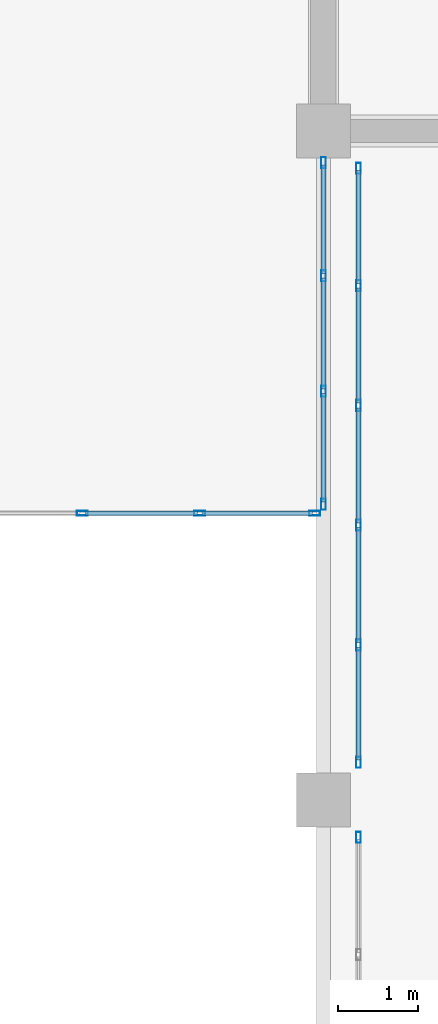
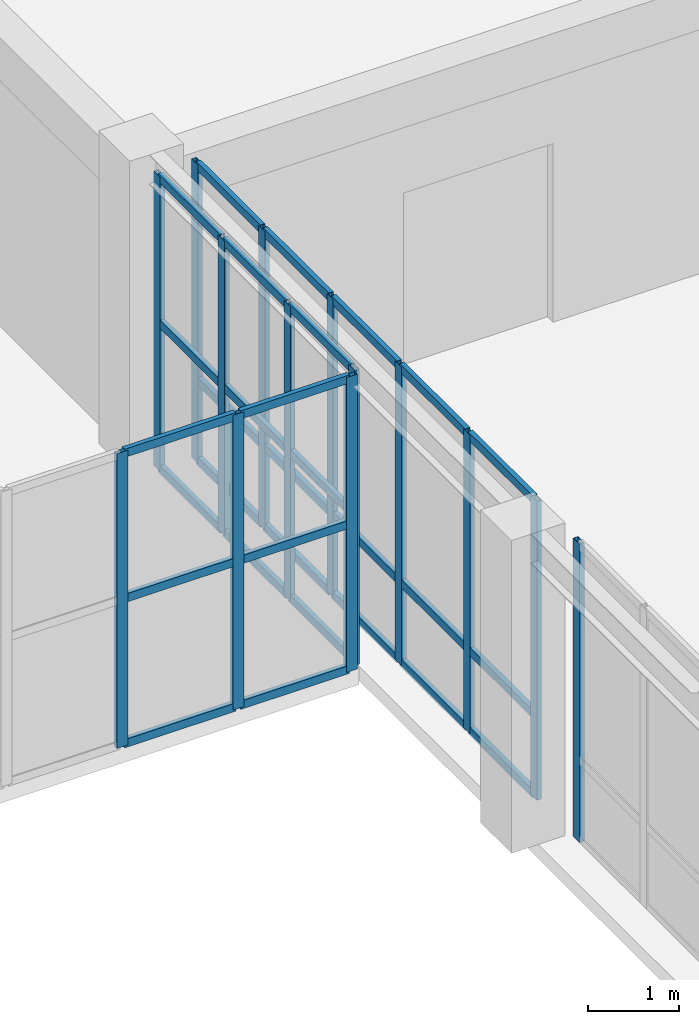
# One storey, part 34 of 140: 44 members, 4 elements without a shape of their own.
"""IFC4 building model written with IfcOpenShell, lengths in metres."""

import ifcopenshell
import ifcopenshell.guid

model = None  # the IFC model being written
_history = None  # IfcOwnerHistory: only IFC2X3 demands one
_inside = {}  # id of a spatial element -> (the spatial element, [elements in it])
_under = {}  # id of a project, library or spatial element -> (it, [spatial elements below it])
_declared = {}  # id of a project -> (the project, [libraries it declares])
_typed = {}  # id of a type object -> (the type object, [elements of that type])
_made_of = {}  # id of a material, layer set ... -> (it, [elements and type objects made of it])


def new_model(schema):
    """Start an empty IFC model of exactly this schema.

    Asked for "IFC4X3", IfcOpenShell would pick the latest addendum, in which some entities
    have other attributes; the version numbers below select the first issue.
    IFC2X3 requires an IfcOwnerHistory on every rooted entity: one is made here for all.
    """
    global model, _history
    if schema == "IFC4X3":
        model = ifcopenshell.file(schema_version=(4, 3, 0, 0))
    else:
        model = ifcopenshell.file(schema=schema)
    _inside.clear()
    _under.clear()
    _declared.clear()
    _typed.clear()
    _made_of.clear()
    _history = None
    if model.schema == "IFC2X3":
        org = make("IfcOrganization", Name="unknown")
        user = make(
            "IfcPersonAndOrganization",
            ThePerson=make("IfcPerson", FamilyName="unknown"),
            TheOrganization=org,
        )
        app = make(
            "IfcApplication",
            ApplicationDeveloper=org,
            Version="unknown",
            ApplicationFullName="unknown",
            ApplicationIdentifier="unknown",
        )
        _history = make(
            "IfcOwnerHistory",
            OwningUser=user,
            OwningApplication=app,
            ChangeAction="ADDED",
            CreationDate=0,
        )
    return model


def make(cls, **values):
    """One entity of the class cls with the attributes given. An attribute that is None is left unset."""
    return model.create_entity(
        cls, **{name: value for name, value in values.items() if value is not None}
    )


def rooted(cls, **values):
    """An entity with a GlobalId (a new one), such as an element, a storey or a relation."""
    return make(cls, GlobalId=ifcopenshell.guid.new(), OwnerHistory=_history, **values)


def si_unit(unit_type, name, prefix=None):
    """IfcSIUnit, for example si_unit("LENGTHUNIT", "METRE", prefix="MILLI")."""
    return make("IfcSIUnit", UnitType=unit_type, Prefix=prefix, Name=name)


def assignment(units):
    """IfcUnitAssignment: the units of a project."""
    return None if units is None else make("IfcUnitAssignment", Units=units)


def point(xyz):
    """IfcCartesianPoint."""
    return None if xyz is None else make("IfcCartesianPoint", Coordinates=xyz)


def direction(xyz):
    """IfcDirection."""
    return None if xyz is None else make("IfcDirection", DirectionRatios=xyz)


def frame(location, z_axis=None, x_axis=None):
    """IfcAxis2Placement3D, a coordinate frame: its origin and axes. An axis left out is left unset."""
    return make(
        "IfcAxis2Placement3D",
        Location=point(location),
        Axis=direction(z_axis),
        RefDirection=direction(x_axis),
    )


def frame_2d(location, x_axis=None):
    """IfcAxis2Placement2D, a coordinate frame in the plane: its origin and x axis."""
    return make(
        "IfcAxis2Placement2D", Location=point(location), RefDirection=direction(x_axis)
    )


def origin():
    """The frame at (0, 0, 0) with its axes left unset."""
    return frame((0.0, 0.0, 0.0))


def origin_2d():
    """The frame at (0, 0) in the plane with its x axis left unset."""
    return frame_2d((0.0, 0.0))


def place(relative_to, where):
    """IfcLocalPlacement: puts the frame where relative to a parent placement (None: the world)."""
    return make(
        "IfcLocalPlacement", PlacementRelTo=relative_to, RelativePlacement=where
    )


def context(
    kind, dimensions, precision=None, world=None, true_north=None, identifier=None
):
    """IfcGeometricRepresentationContext, for example the 3D "Model" context."""
    return make(
        "IfcGeometricRepresentationContext",
        ContextIdentifier=identifier,
        ContextType=kind,
        CoordinateSpaceDimension=dimensions,
        Precision=precision,
        WorldCoordinateSystem=world,
        TrueNorth=true_north,
    )


def subcontext(parent, identifier, kind, view, scale=None):
    """IfcGeometricRepresentationSubContext, for example "Body" below "Model"."""
    return make(
        "IfcGeometricRepresentationSubContext",
        ContextIdentifier=identifier,
        ContextType=kind,
        ParentContext=parent,
        TargetScale=scale,
        TargetView=view,
    )


def project(units=None, contexts=None):
    """IfcProject with its units and contexts."""
    return rooted(
        "IfcProject",
        Name="project",
        RepresentationContexts=contexts,
        UnitsInContext=assignment(units),
    )


def spatial(cls, under=None, at=None, **own):
    """A site, building, storey or space (cls), placed at a placement, below another one or the project."""
    s = rooted(cls, ObjectPlacement=at, **own)
    if under is not None:
        _under.setdefault(under.id(), (under, []))[1].append(s)
    return s


def profile(cls, at=None, kind="AREA", **sizes):
    """A parametric profile (cls). Its sizes go by their IFC names, for example OverallWidth=200.0."""
    return make(cls, ProfileType=kind, Position=at, **sizes)


def hollow_rectangle(**sizes):
    """IfcRectangleHollowProfileDef."""
    return profile("IfcRectangleHollowProfileDef", **sizes)


def extrude(swept, where, along, depth):
    """IfcExtrudedAreaSolid: the profile swept, set in the frame where, extruded along a direction by depth."""
    return make(
        "IfcExtrudedAreaSolid",
        SweptArea=swept,
        Position=where,
        ExtrudedDirection=direction(along),
        Depth=depth,
    )


def shape(context_of_items, identifier, shape_type, items):
    """IfcShapeRepresentation: the items that make up one representation, for example the "Body"."""
    return make(
        "IfcShapeRepresentation",
        ContextOfItems=context_of_items,
        RepresentationIdentifier=identifier,
        RepresentationType=shape_type,
        Items=items,
    )


def material(Name=None, Category=None):
    """IfcMaterial."""
    return make("IfcMaterial", Name=Name, Category=Category)


def layer(
    of_material, thickness, ventilated=None, Name=None, Category=None, Priority=None
):
    """IfcMaterialLayer: one layer of a wall or slab, of a material (None: an air gap)."""
    return make(
        "IfcMaterialLayer",
        Material=of_material,
        LayerThickness=thickness,
        IsVentilated=ventilated,
        Name=Name,
        Category=Category,
        Priority=Priority,
    )


def layer_set(layers, Name=None):
    """IfcMaterialLayerSet."""
    return make("IfcMaterialLayerSet", MaterialLayers=layers, LayerSetName=Name)


def material_profile(
    of_material, cross_section, Name=None, Category=None, Priority=None
):
    """IfcMaterialProfile: a cross section and its material."""
    return make(
        "IfcMaterialProfile",
        Name=Name,
        Material=of_material,
        Profile=cross_section,
        Priority=Priority,
        Category=Category,
    )


def profile_set(profiles, Name=None, composite=None):
    """IfcMaterialProfileSet."""
    return make(
        "IfcMaterialProfileSet",
        Name=Name,
        MaterialProfiles=profiles,
        CompositeProfile=composite,
    )


def made_of(thing, what):
    """Note that an element or type object is made of a material, layer set ...; save() writes the relation."""
    if what is not None:
        _made_of.setdefault(what.id(), (what, []))[1].append(thing)
    return thing


def type_object(cls, material=None, **own):
    """A type object (cls), such as IfcWallType, which elements share."""
    return made_of(rooted(cls, **own), material)


def element(
    cls,
    number,
    at=None,
    inside=None,
    cuts=None,
    type_object=None,
    material=None,
    context=None,
    identifier="Body",
    shape_type=None,
    held_by="IfcProductDefinitionShape",
    body=None,
    shapes=None,
    **own,
):
    """One element of the class cls, such as IfcWall. Its Tag is "e" and its number.

    at: its placement. inside: the storey or other place that contains it. cuts: it is an
    opening in that element (IfcRelVoidsElement). A single representation is given by context,
    identifier, shape_type and body (its items); several are given by shapes. held_by: the class
    of the entity that holds the representations. save() writes the other relations.
    """
    e = rooted(cls, Tag="e%d" % number, ObjectPlacement=at, **own)
    if body is not None:
        shapes = [shape(context, identifier, shape_type, body)]
    if shapes is not None:
        e.Representation = make(held_by, Representations=shapes)
    if inside is not None:
        _inside.setdefault(inside.id(), (inside, []))[1].append(e)
    if cuts is not None:
        rooted(
            "IfcRelVoidsElement", RelatingBuildingElement=cuts, RelatedOpeningElement=e
        )
    if type_object is not None:
        _typed.setdefault(type_object.id(), (type_object, []))[1].append(e)
    return made_of(e, material)


def aggregate(whole, parts):
    """IfcRelAggregates: a whole, such as a stair, and the parts it consists of."""
    return rooted("IfcRelAggregates", RelatingObject=whole, RelatedObjects=parts)


def save(model, path):
    """Write the relations noted so far, then the file.

    IfcRelAggregates (storeys below a building ...), IfcRelContainedInSpatialStructure (elements
    in a storey), IfcRelDefinesByType, IfcRelAssociatesMaterial and IfcRelDeclares: one each for
    every whole, place, type object, material and project.
    """
    for whole, parts in _under.values():
        aggregate(whole, parts)
    for where, things in _inside.values():
        rooted(
            "IfcRelContainedInSpatialStructure",
            RelatedElements=things,
            RelatingStructure=where,
        )
    for kind, things in _typed.values():
        rooted("IfcRelDefinesByType", RelatedObjects=things, RelatingType=kind)
    for what, things in _made_of.values():
        rooted("IfcRelAssociatesMaterial", RelatedObjects=things, RelatingMaterial=what)
    for by, libraries in _declared.values():
        rooted("IfcRelDeclares", RelatingContext=by, RelatedDefinitions=libraries)
    model.write(path)


model = new_model("IFC4")

# Units and contexts
model_context = context("Model", 3, precision=1e-05, world=origin(), true_north=direction((0.0, 1.0)))
body_context = subcontext(model_context, "Body", "Model", "MODEL_VIEW")
ifc_project = project(units=[si_unit("LENGTHUNIT", "METRE"), si_unit("AREAUNIT", "SQUARE_METRE"), si_unit("VOLUMEUNIT", "CUBIC_METRE"), si_unit("PLANEANGLEUNIT", "RADIAN"), si_unit("MASSUNIT", "GRAM", prefix="KILO")], contexts=[model_context])

# Site, building, storey
site_placement = place(None, origin())
site = spatial("IfcSite", under=ifc_project, at=site_placement, CompositionType="ELEMENT")
building_placement = place(site_placement, origin())
building = spatial("IfcBuilding", under=site, at=building_placement, Name="Trelvath General Hospital", CompositionType="ELEMENT")
storey_placement = place(building_placement, frame((0.0, 0.0, 16.199951171875)))
storey = spatial("IfcBuildingStorey", under=building, at=storey_placement, Name="L04", CompositionType="ELEMENT", Elevation=16.199951171875)

# Curtain wall, members
ifc_material_1 = material(Name="Anodised aluminium and low-E glass", Category="aluminium")
ifc_layer_1 = layer(ifc_material_1, 0.139892578125)
ifc_layer_set_1 = layer_set([ifc_layer_1], Name="Anodised aluminium and low-E glass")
curtain_wall_type_1 = type_object("IfcCurtainWallType", Name="CW CrystalCube 737 396 14", PredefinedType="USERDEFINED", material=ifc_layer_set_1)
curtain_wall_1_placement = place(storey_placement, origin())
curtain_wall_1 = element("IfcCurtainWall", 1, at=curtain_wall_1_placement, inside=storey, type_object=curtain_wall_type_1, Name="Crystal Cube Curtain Wall CUBE-W-T1 S3 L04", ObjectType="Unitised Glazed Curtain Wall", PredefinedType="USERDEFINED")
ifc_material_2 = material(Name="Anodised aluminium", Category="aluminium")
ifc_material_profile_1 = material_profile(ifc_material_2, hollow_rectangle(XDim=0.06005859375, YDim=0.139892578125, WallThickness=0.00390625, at=origin_2d()), Name="RHS60x140x4")
ifc_profile_set_1 = profile_set([ifc_material_profile_1], Name="Anodised aluminium")
member_type_1 = type_object("IfcMemberType", Name="CurtainMullion 60x140", PredefinedType="MULLION", material=ifc_profile_set_1)
member_1_placement = place(storey_placement, frame((75.489990234375, 37.199951171875, 0.0), z_axis=(0.0, 0.0, 1.0), x_axis=(0.0, -1.0, 0.0)))
member_1 = element("IfcMember", 2, at=member_1_placement, type_object=member_type_1, Name="CW-270 mullion 1", PredefinedType="MULLION", context=body_context, shape_type="SweptSolid", body=[
    extrude(hollow_rectangle(XDim=0.06005859375, YDim=0.139892578125, WallThickness=0.00390625, at=origin_2d()), origin(), (0.0, 0.0, 1.0), 3.9599609375),
])
member_2_placement = place(storey_placement, frame((74.046630859375, 37.199951171875, 0.0), z_axis=(0.0, 0.0, 1.0), x_axis=(0.0, -1.0, 0.0)))
member_2 = element("IfcMember", 3, at=member_2_placement, type_object=member_type_1, Name="CW-270 mullion 2", PredefinedType="MULLION", context=body_context, shape_type="SweptSolid", body=[
    extrude(hollow_rectangle(XDim=0.06005859375, YDim=0.139892578125, WallThickness=0.00390625, at=origin_2d()), origin(), (0.0, 0.0, 1.0), 3.9599609375),
])
member_3_placement = place(storey_placement, frame((72.5732421875, 37.199951171875, 0.0), z_axis=(0.0, 0.0, 1.0), x_axis=(0.0, -1.0, 0.0)))
member_3 = element("IfcMember", 4, at=member_3_placement, type_object=member_type_1, Name="CW-270 mullion 3", PredefinedType="MULLION", context=body_context, shape_type="SweptSolid", body=[
    extrude(hollow_rectangle(XDim=0.06005859375, YDim=0.139892578125, WallThickness=0.00390625, at=origin_2d()), origin(), (0.0, 0.0, 1.0), 3.9599609375),
])

ifc_material_3 = material(Name="Anodised aluminium and low-E glass", Category="aluminium")
ifc_layer_2 = layer(ifc_material_3, 0.139892578125)
ifc_layer_set_2 = layer_set([ifc_layer_2], Name="Anodised aluminium and low-E glass")
curtain_wall_type_2 = type_object("IfcCurtainWallType", Name="CW CrystalCube 435 396 14", PredefinedType="USERDEFINED", material=ifc_layer_set_2)
curtain_wall_2_placement = place(storey_placement, origin())
curtain_wall_2 = element("IfcCurtainWall", 5, at=curtain_wall_2_placement, inside=storey, type_object=curtain_wall_type_2, Name="Crystal Cube Curtain Wall CUBE-W-T1 E1 L04", ObjectType="Unitised Glazed Curtain Wall", PredefinedType="USERDEFINED")
member_4_placement = place(storey_placement, frame((75.60009765625, 41.60009765625, 0.0), z_axis=(0.0, 0.0, 1.0), x_axis=(1.0, 0.0, 0.0)))
member_4 = element("IfcMember", 6, at=member_4_placement, type_object=member_type_1, Name="CW-275 mullion 1", PredefinedType="MULLION", context=body_context, shape_type="SweptSolid", body=[
    extrude(hollow_rectangle(XDim=0.06005859375, YDim=0.139892578125, WallThickness=0.00390625, at=origin_2d()), origin(), (0.0, 0.0, 1.0), 3.9599609375),
])
member_5_placement = place(storey_placement, frame((75.60009765625, 40.179931640625, 0.0), z_axis=(0.0, 0.0, 1.0), x_axis=(1.0, 0.0, 0.0)))
member_5 = element("IfcMember", 7, at=member_5_placement, type_object=member_type_1, Name="CW-275 mullion 2", PredefinedType="MULLION", context=body_context, shape_type="SweptSolid", body=[
    extrude(hollow_rectangle(XDim=0.06005859375, YDim=0.139892578125, WallThickness=0.00390625, at=origin_2d()), origin(), (0.0, 0.0, 1.0), 3.9599609375),
])
member_6_placement = place(storey_placement, frame((75.60009765625, 38.72998046875, 0.0), z_axis=(0.0, 0.0, 1.0), x_axis=(1.0, 0.0, 0.0)))
member_6 = element("IfcMember", 8, at=member_6_placement, type_object=member_type_1, Name="CW-275 mullion 3", PredefinedType="MULLION", context=body_context, shape_type="SweptSolid", body=[
    extrude(hollow_rectangle(XDim=0.06005859375, YDim=0.139892578125, WallThickness=0.00390625, at=origin_2d()), origin(), (0.0, 0.0, 1.0), 3.9599609375),
])
member_7_placement = place(storey_placement, frame((75.60009765625, 37.31005859375, 0.0), z_axis=(0.0, 0.0, 1.0), x_axis=(1.0, 0.0, 0.0)))
member_7 = element("IfcMember", 9, at=member_7_placement, type_object=member_type_1, Name="CW-275 mullion 4", PredefinedType="MULLION", context=body_context, shape_type="SweptSolid", body=[
    extrude(hollow_rectangle(XDim=0.06005859375, YDim=0.139892578125, WallThickness=0.00390625, at=origin_2d()), origin(), (0.0, 0.0, 1.0), 3.9599609375),
])

# Curtain wall, member
ifc_material_4 = material(Name="Anodised aluminium and low-E glass", Category="aluminium")
ifc_layer_3 = layer(ifc_material_4, 0.139892578125)
ifc_layer_set_3 = layer_set([ifc_layer_3], Name="Anodised aluminium and low-E glass")
curtain_wall_type_3 = type_object("IfcCurtainWallType", Name="CW Bridge 752 401", PredefinedType="USERDEFINED", material=ifc_layer_set_3)
curtain_wall_3_placement = place(storey_placement, origin())
curtain_wall_3 = element("IfcCurtainWall", 10, at=curtain_wall_3_placement, inside=storey, type_object=curtain_wall_type_3, Name="Glazed Bridge Curtain Wall BRG-S-C W L04", ObjectType="Unitised Glazed Curtain Wall", PredefinedType="USERDEFINED")
member_8_placement = place(storey_placement, frame((76.0400390625, 33.1298828125, 0.0), z_axis=(0.0, 0.0, 1.0), x_axis=(-1.0, 0.0, 0.0)))
member_8 = element("IfcMember", 11, at=member_8_placement, type_object=member_type_1, Name="CW-302 mullion 6", PredefinedType="MULLION", context=body_context, shape_type="SweptSolid", body=[
    extrude(hollow_rectangle(XDim=0.06005859375, YDim=0.139892578125, WallThickness=0.00390625, at=origin_2d()), origin(), (0.0, 0.0, 1.0), 4.010009765625),
])
aggregate(curtain_wall_3, [member_8])

# Curtain wall, members
curtain_wall_4_placement = place(storey_placement, origin())
curtain_wall_4 = element("IfcCurtainWall", 12, at=curtain_wall_4_placement, inside=storey, type_object=curtain_wall_type_3, Name="Glazed Bridge Curtain Wall BRG-S-C W L04", ObjectType="Unitised Glazed Curtain Wall", PredefinedType="USERDEFINED")
member_9_placement = place(storey_placement, frame((76.0400390625, 34.070068359375, 0.0), z_axis=(0.0, 0.0, 1.0), x_axis=(-1.0, 0.0, 0.0)))
member_9 = element("IfcMember", 13, at=member_9_placement, type_object=member_type_1, Name="CW-304 mullion 1", PredefinedType="MULLION", context=body_context, shape_type="SweptSolid", body=[
    extrude(hollow_rectangle(XDim=0.06005859375, YDim=0.139892578125, WallThickness=0.00390625, at=origin_2d()), origin(), (0.0, 0.0, 1.0), 4.010009765625),
])
member_10_placement = place(storey_placement, frame((76.0400390625, 35.5439453125, 0.0), z_axis=(0.0, 0.0, 1.0), x_axis=(-1.0, 0.0, 0.0)))
member_10 = element("IfcMember", 14, at=member_10_placement, type_object=member_type_1, Name="CW-304 mullion 2", PredefinedType="MULLION", context=body_context, shape_type="SweptSolid", body=[
    extrude(hollow_rectangle(XDim=0.06005859375, YDim=0.139892578125, WallThickness=0.00390625, at=origin_2d()), origin(), (0.0, 0.0, 1.0), 4.010009765625),
])
member_11_placement = place(storey_placement, frame((76.0400390625, 37.048095703125, 0.0), z_axis=(0.0, 0.0, 1.0), x_axis=(-1.0, 0.0, 0.0)))
member_11 = element("IfcMember", 15, at=member_11_placement, type_object=member_type_1, Name="CW-304 mullion 3", PredefinedType="MULLION", context=body_context, shape_type="SweptSolid", body=[
    extrude(hollow_rectangle(XDim=0.06005859375, YDim=0.139892578125, WallThickness=0.00390625, at=origin_2d()), origin(), (0.0, 0.0, 1.0), 4.010009765625),
])
member_12_placement = place(storey_placement, frame((76.0400390625, 38.552001953125, 0.0), z_axis=(0.0, 0.0, 1.0), x_axis=(-1.0, 0.0, 0.0)))
member_12 = element("IfcMember", 16, at=member_12_placement, type_object=member_type_1, Name="CW-304 mullion 4", PredefinedType="MULLION", context=body_context, shape_type="SweptSolid", body=[
    extrude(hollow_rectangle(XDim=0.06005859375, YDim=0.139892578125, WallThickness=0.00390625, at=origin_2d()), origin(), (0.0, 0.0, 1.0), 4.010009765625),
])
member_13_placement = place(storey_placement, frame((76.0400390625, 40.055908203125, 0.0), z_axis=(0.0, 0.0, 1.0), x_axis=(-1.0, 0.0, 0.0)))
member_13 = element("IfcMember", 17, at=member_13_placement, type_object=member_type_1, Name="CW-304 mullion 5", PredefinedType="MULLION", context=body_context, shape_type="SweptSolid", body=[
    extrude(hollow_rectangle(XDim=0.06005859375, YDim=0.139892578125, WallThickness=0.00390625, at=origin_2d()), origin(), (0.0, 0.0, 1.0), 4.010009765625),
])
member_14_placement = place(storey_placement, frame((76.0400390625, 41.530029296875, 0.0), z_axis=(0.0, 0.0, 1.0), x_axis=(-1.0, 0.0, 0.0)))
member_14 = element("IfcMember", 18, at=member_14_placement, type_object=member_type_1, Name="CW-304 mullion 6", PredefinedType="MULLION", context=body_context, shape_type="SweptSolid", body=[
    extrude(hollow_rectangle(XDim=0.06005859375, YDim=0.139892578125, WallThickness=0.00390625, at=origin_2d()), origin(), (0.0, 0.0, 1.0), 4.010009765625),
])

# Member
ifc_material_5 = material(Name="Anodised aluminium", Category="aluminium")
ifc_material_profile_2 = material_profile(ifc_material_5, hollow_rectangle(XDim=0.06005859375, YDim=0.110107421875, WallThickness=0.00390625, at=origin_2d()), Name="RHS60x110x4")
ifc_profile_set_2 = profile_set([ifc_material_profile_2], Name="Anodised aluminium")
member_type_2 = type_object("IfcMemberType", Name="CurtainTransom 60x110", PredefinedType="USERDEFINED", material=ifc_profile_set_2)
member_15_placement = place(storey_placement, frame((75.4599609375, 37.199951171875, 0.030029296875), z_axis=(-1.0, 0.0, 0.0), x_axis=(0.0, -1.0, 0.0)))
member_15 = element("IfcMember", 19, at=member_15_placement, type_object=member_type_2, Name="CW-270 transom 1.1", ObjectType="TRANSOM", PredefinedType="USERDEFINED", context=body_context, shape_type="SweptSolid", body=[
    extrude(hollow_rectangle(XDim=0.06005859375, YDim=0.110107421875, WallThickness=0.00390625, at=origin_2d()), origin(), (0.0, 0.0, 1.0), 1.38330078125),
])

member_16_placement = place(storey_placement, frame((75.4599609375, 37.199951171875, 1.97998046875), z_axis=(-1.0, 0.0, 0.0), x_axis=(0.0, -1.0, 0.0)))
member_16 = element("IfcMember", 20, at=member_16_placement, type_object=member_type_2, Name="CW-270 transom 1.2", ObjectType="TRANSOM", PredefinedType="USERDEFINED", context=body_context, shape_type="SweptSolid", body=[
    extrude(hollow_rectangle(XDim=0.06005859375, YDim=0.110107421875, WallThickness=0.00390625, at=origin_2d()), origin(), (0.0, 0.0, 1.0), 1.38330078125),
])

member_17_placement = place(storey_placement, frame((75.4599609375, 37.199951171875, 3.929931640625), z_axis=(-1.0, 0.0, 0.0), x_axis=(0.0, -1.0, 0.0)))
member_17 = element("IfcMember", 21, at=member_17_placement, type_object=member_type_2, Name="CW-270 transom 1.3", ObjectType="TRANSOM", PredefinedType="USERDEFINED", context=body_context, shape_type="SweptSolid", body=[
    extrude(hollow_rectangle(XDim=0.06005859375, YDim=0.110107421875, WallThickness=0.00390625, at=origin_2d()), origin(), (0.0, 0.0, 1.0), 1.38330078125),
])

member_18_placement = place(storey_placement, frame((74.0166015625, 37.199951171875, 0.030029296875), z_axis=(-1.0, 0.0, 0.0), x_axis=(0.0, -1.0, 0.0)))
member_18 = element("IfcMember", 22, at=member_18_placement, type_object=member_type_2, Name="CW-270 transom 2.1", ObjectType="TRANSOM", PredefinedType="USERDEFINED", context=body_context, shape_type="SweptSolid", body=[
    extrude(hollow_rectangle(XDim=0.06005859375, YDim=0.110107421875, WallThickness=0.00390625, at=origin_2d()), origin(), (0.0, 0.0, 1.0), 1.413330078125),
])

member_19_placement = place(storey_placement, frame((74.0166015625, 37.199951171875, 1.97998046875), z_axis=(-1.0, 0.0, 0.0), x_axis=(0.0, -1.0, 0.0)))
member_19 = element("IfcMember", 23, at=member_19_placement, type_object=member_type_2, Name="CW-270 transom 2.2", ObjectType="TRANSOM", PredefinedType="USERDEFINED", context=body_context, shape_type="SweptSolid", body=[
    extrude(hollow_rectangle(XDim=0.06005859375, YDim=0.110107421875, WallThickness=0.00390625, at=origin_2d()), origin(), (0.0, 0.0, 1.0), 1.413330078125),
])

member_20_placement = place(storey_placement, frame((74.0166015625, 37.199951171875, 3.929931640625), z_axis=(-1.0, 0.0, 0.0), x_axis=(0.0, -1.0, 0.0)))
member_20 = element("IfcMember", 24, at=member_20_placement, type_object=member_type_2, Name="CW-270 transom 2.3", ObjectType="TRANSOM", PredefinedType="USERDEFINED", context=body_context, shape_type="SweptSolid", body=[
    extrude(hollow_rectangle(XDim=0.06005859375, YDim=0.110107421875, WallThickness=0.00390625, at=origin_2d()), origin(), (0.0, 0.0, 1.0), 1.413330078125),
])

aggregate(curtain_wall_1, [member_1, member_2, member_3, member_15, member_16, member_17, member_18, member_19, member_20])

member_21_placement = place(storey_placement, frame((75.60009765625, 41.570068359375, 0.030029296875), z_axis=(0.0, -1.0, 0.0), x_axis=(1.0, 0.0, 0.0)))
member_21 = element("IfcMember", 25, at=member_21_placement, type_object=member_type_2, Name="CW-275 transom 1.1", ObjectType="TRANSOM", PredefinedType="USERDEFINED", context=body_context, shape_type="SweptSolid", body=[
    extrude(hollow_rectangle(XDim=0.06005859375, YDim=0.110107421875, WallThickness=0.00390625, at=origin_2d()), origin(), (0.0, 0.0, 1.0), 1.360107421875),
])

member_22_placement = place(storey_placement, frame((75.60009765625, 41.570068359375, 1.97998046875), z_axis=(0.0, -1.0, 0.0), x_axis=(1.0, 0.0, 0.0)))
member_22 = element("IfcMember", 26, at=member_22_placement, type_object=member_type_2, Name="CW-275 transom 1.2", ObjectType="TRANSOM", PredefinedType="USERDEFINED", context=body_context, shape_type="SweptSolid", body=[
    extrude(hollow_rectangle(XDim=0.06005859375, YDim=0.110107421875, WallThickness=0.00390625, at=origin_2d()), origin(), (0.0, 0.0, 1.0), 1.360107421875),
])

member_23_placement = place(storey_placement, frame((75.60009765625, 41.570068359375, 3.929931640625), z_axis=(0.0, -1.0, 0.0), x_axis=(1.0, 0.0, 0.0)))
member_23 = element("IfcMember", 27, at=member_23_placement, type_object=member_type_2, Name="CW-275 transom 1.3", ObjectType="TRANSOM", PredefinedType="USERDEFINED", context=body_context, shape_type="SweptSolid", body=[
    extrude(hollow_rectangle(XDim=0.06005859375, YDim=0.110107421875, WallThickness=0.00390625, at=origin_2d()), origin(), (0.0, 0.0, 1.0), 1.360107421875),
])

member_24_placement = place(storey_placement, frame((75.60009765625, 40.14990234375, 0.030029296875), z_axis=(0.0, -1.0, 0.0), x_axis=(1.0, 0.0, 0.0)))
member_24 = element("IfcMember", 28, at=member_24_placement, type_object=member_type_2, Name="CW-275 transom 2.1", ObjectType="TRANSOM", PredefinedType="USERDEFINED", context=body_context, shape_type="SweptSolid", body=[
    extrude(hollow_rectangle(XDim=0.06005859375, YDim=0.110107421875, WallThickness=0.00390625, at=origin_2d()), origin(), (0.0, 0.0, 1.0), 1.389892578125),
])

member_25_placement = place(storey_placement, frame((75.60009765625, 40.14990234375, 1.97998046875), z_axis=(0.0, -1.0, 0.0), x_axis=(1.0, 0.0, 0.0)))
member_25 = element("IfcMember", 29, at=member_25_placement, type_object=member_type_2, Name="CW-275 transom 2.2", ObjectType="TRANSOM", PredefinedType="USERDEFINED", context=body_context, shape_type="SweptSolid", body=[
    extrude(hollow_rectangle(XDim=0.06005859375, YDim=0.110107421875, WallThickness=0.00390625, at=origin_2d()), origin(), (0.0, 0.0, 1.0), 1.389892578125),
])

member_26_placement = place(storey_placement, frame((75.60009765625, 40.14990234375, 3.929931640625), z_axis=(0.0, -1.0, 0.0), x_axis=(1.0, 0.0, 0.0)))
member_26 = element("IfcMember", 30, at=member_26_placement, type_object=member_type_2, Name="CW-275 transom 2.3", ObjectType="TRANSOM", PredefinedType="USERDEFINED", context=body_context, shape_type="SweptSolid", body=[
    extrude(hollow_rectangle(XDim=0.06005859375, YDim=0.110107421875, WallThickness=0.00390625, at=origin_2d()), origin(), (0.0, 0.0, 1.0), 1.389892578125),
])

member_27_placement = place(storey_placement, frame((75.60009765625, 38.699951171875, 0.030029296875), z_axis=(0.0, -1.0, 0.0), x_axis=(1.0, 0.0, 0.0)))
member_27 = element("IfcMember", 31, at=member_27_placement, type_object=member_type_2, Name="CW-275 transom 3.1", ObjectType="TRANSOM", PredefinedType="USERDEFINED", context=body_context, shape_type="SweptSolid", body=[
    extrude(hollow_rectangle(XDim=0.06005859375, YDim=0.110107421875, WallThickness=0.00390625, at=origin_2d()), origin(), (0.0, 0.0, 1.0), 1.35986328125),
])

member_28_placement = place(storey_placement, frame((75.60009765625, 38.699951171875, 1.97998046875), z_axis=(0.0, -1.0, 0.0), x_axis=(1.0, 0.0, 0.0)))
member_28 = element("IfcMember", 32, at=member_28_placement, type_object=member_type_2, Name="CW-275 transom 3.2", ObjectType="TRANSOM", PredefinedType="USERDEFINED", context=body_context, shape_type="SweptSolid", body=[
    extrude(hollow_rectangle(XDim=0.06005859375, YDim=0.110107421875, WallThickness=0.00390625, at=origin_2d()), origin(), (0.0, 0.0, 1.0), 1.35986328125),
])

member_29_placement = place(storey_placement, frame((75.60009765625, 38.699951171875, 3.929931640625), z_axis=(0.0, -1.0, 0.0), x_axis=(1.0, 0.0, 0.0)))
member_29 = element("IfcMember", 33, at=member_29_placement, type_object=member_type_2, Name="CW-275 transom 3.3", ObjectType="TRANSOM", PredefinedType="USERDEFINED", context=body_context, shape_type="SweptSolid", body=[
    extrude(hollow_rectangle(XDim=0.06005859375, YDim=0.110107421875, WallThickness=0.00390625, at=origin_2d()), origin(), (0.0, 0.0, 1.0), 1.35986328125),
])

aggregate(curtain_wall_2, [member_4, member_5, member_6, member_7, member_21, member_22, member_23, member_24, member_25, member_26, member_27, member_28, member_29])

member_30_placement = place(storey_placement, frame((76.0400390625, 34.10009765625, 0.030029296875), z_axis=(0.0, 1.0, 0.0), x_axis=(-1.0, 0.0, 0.0)))
member_30 = element("IfcMember", 34, at=member_30_placement, type_object=member_type_2, Name="CW-304 transom 1.1", ObjectType="TRANSOM", PredefinedType="USERDEFINED", context=body_context, shape_type="SweptSolid", body=[
    extrude(hollow_rectangle(XDim=0.06005859375, YDim=0.110107421875, WallThickness=0.00390625, at=origin_2d()), origin(), (0.0, 0.0, 1.0), 1.413818359375),
])

member_31_placement = place(storey_placement, frame((76.0400390625, 34.10009765625, 1.10009765625), z_axis=(0.0, 1.0, 0.0), x_axis=(-1.0, 0.0, 0.0)))
member_31 = element("IfcMember", 35, at=member_31_placement, type_object=member_type_2, Name="CW-304 transom 1.2", ObjectType="TRANSOM", PredefinedType="USERDEFINED", context=body_context, shape_type="SweptSolid", body=[
    extrude(hollow_rectangle(XDim=0.06005859375, YDim=0.110107421875, WallThickness=0.00390625, at=origin_2d()), origin(), (0.0, 0.0, 1.0), 1.413818359375),
])

member_32_placement = place(storey_placement, frame((76.0400390625, 34.10009765625, 3.97998046875), z_axis=(0.0, 1.0, 0.0), x_axis=(-1.0, 0.0, 0.0)))
member_32 = element("IfcMember", 36, at=member_32_placement, type_object=member_type_2, Name="CW-304 transom 1.3", ObjectType="TRANSOM", PredefinedType="USERDEFINED", context=body_context, shape_type="SweptSolid", body=[
    extrude(hollow_rectangle(XDim=0.06005859375, YDim=0.110107421875, WallThickness=0.00390625, at=origin_2d()), origin(), (0.0, 0.0, 1.0), 1.413818359375),
])

member_33_placement = place(storey_placement, frame((76.0400390625, 35.573974609375, 0.030029296875), z_axis=(0.0, 1.0, 0.0), x_axis=(-1.0, 0.0, 0.0)))
member_33 = element("IfcMember", 37, at=member_33_placement, type_object=member_type_2, Name="CW-304 transom 2.1", ObjectType="TRANSOM", PredefinedType="USERDEFINED", context=body_context, shape_type="SweptSolid", body=[
    extrude(hollow_rectangle(XDim=0.06005859375, YDim=0.110107421875, WallThickness=0.00390625, at=origin_2d()), origin(), (0.0, 0.0, 1.0), 1.444091796875),
])

member_34_placement = place(storey_placement, frame((76.0400390625, 35.573974609375, 1.10009765625), z_axis=(0.0, 1.0, 0.0), x_axis=(-1.0, 0.0, 0.0)))
member_34 = element("IfcMember", 38, at=member_34_placement, type_object=member_type_2, Name="CW-304 transom 2.2", ObjectType="TRANSOM", PredefinedType="USERDEFINED", context=body_context, shape_type="SweptSolid", body=[
    extrude(hollow_rectangle(XDim=0.06005859375, YDim=0.110107421875, WallThickness=0.00390625, at=origin_2d()), origin(), (0.0, 0.0, 1.0), 1.444091796875),
])

member_35_placement = place(storey_placement, frame((76.0400390625, 35.573974609375, 3.97998046875), z_axis=(0.0, 1.0, 0.0), x_axis=(-1.0, 0.0, 0.0)))
member_35 = element("IfcMember", 39, at=member_35_placement, type_object=member_type_2, Name="CW-304 transom 2.3", ObjectType="TRANSOM", PredefinedType="USERDEFINED", context=body_context, shape_type="SweptSolid", body=[
    extrude(hollow_rectangle(XDim=0.06005859375, YDim=0.110107421875, WallThickness=0.00390625, at=origin_2d()), origin(), (0.0, 0.0, 1.0), 1.444091796875),
])

member_36_placement = place(storey_placement, frame((76.0400390625, 37.077880859375, 0.030029296875), z_axis=(0.0, 1.0, 0.0), x_axis=(-1.0, 0.0, 0.0)))
member_36 = element("IfcMember", 40, at=member_36_placement, type_object=member_type_2, Name="CW-304 transom 3.1", ObjectType="TRANSOM", PredefinedType="USERDEFINED", context=body_context, shape_type="SweptSolid", body=[
    extrude(hollow_rectangle(XDim=0.06005859375, YDim=0.110107421875, WallThickness=0.00390625, at=origin_2d()), origin(), (0.0, 0.0, 1.0), 1.444091796875),
])

member_37_placement = place(storey_placement, frame((76.0400390625, 37.077880859375, 1.10009765625), z_axis=(0.0, 1.0, 0.0), x_axis=(-1.0, 0.0, 0.0)))
member_37 = element("IfcMember", 41, at=member_37_placement, type_object=member_type_2, Name="CW-304 transom 3.2", ObjectType="TRANSOM", PredefinedType="USERDEFINED", context=body_context, shape_type="SweptSolid", body=[
    extrude(hollow_rectangle(XDim=0.06005859375, YDim=0.110107421875, WallThickness=0.00390625, at=origin_2d()), origin(), (0.0, 0.0, 1.0), 1.444091796875),
])

member_38_placement = place(storey_placement, frame((76.0400390625, 37.077880859375, 3.97998046875), z_axis=(0.0, 1.0, 0.0), x_axis=(-1.0, 0.0, 0.0)))
member_38 = element("IfcMember", 42, at=member_38_placement, type_object=member_type_2, Name="CW-304 transom 3.3", ObjectType="TRANSOM", PredefinedType="USERDEFINED", context=body_context, shape_type="SweptSolid", body=[
    extrude(hollow_rectangle(XDim=0.06005859375, YDim=0.110107421875, WallThickness=0.00390625, at=origin_2d()), origin(), (0.0, 0.0, 1.0), 1.444091796875),
])

member_39_placement = place(storey_placement, frame((76.0400390625, 38.58203125, 0.030029296875), z_axis=(0.0, 1.0, 0.0), x_axis=(-1.0, 0.0, 0.0)))
member_39 = element("IfcMember", 43, at=member_39_placement, type_object=member_type_2, Name="CW-304 transom 4.1", ObjectType="TRANSOM", PredefinedType="USERDEFINED", context=body_context, shape_type="SweptSolid", body=[
    extrude(hollow_rectangle(XDim=0.06005859375, YDim=0.110107421875, WallThickness=0.00390625, at=origin_2d()), origin(), (0.0, 0.0, 1.0), 1.44384765625),
])

member_40_placement = place(storey_placement, frame((76.0400390625, 38.58203125, 1.10009765625), z_axis=(0.0, 1.0, 0.0), x_axis=(-1.0, 0.0, 0.0)))
member_40 = element("IfcMember", 44, at=member_40_placement, type_object=member_type_2, Name="CW-304 transom 4.2", ObjectType="TRANSOM", PredefinedType="USERDEFINED", context=body_context, shape_type="SweptSolid", body=[
    extrude(hollow_rectangle(XDim=0.06005859375, YDim=0.110107421875, WallThickness=0.00390625, at=origin_2d()), origin(), (0.0, 0.0, 1.0), 1.44384765625),
])

member_41_placement = place(storey_placement, frame((76.0400390625, 38.58203125, 3.97998046875), z_axis=(0.0, 1.0, 0.0), x_axis=(-1.0, 0.0, 0.0)))
member_41 = element("IfcMember", 45, at=member_41_placement, type_object=member_type_2, Name="CW-304 transom 4.3", ObjectType="TRANSOM", PredefinedType="USERDEFINED", context=body_context, shape_type="SweptSolid", body=[
    extrude(hollow_rectangle(XDim=0.06005859375, YDim=0.110107421875, WallThickness=0.00390625, at=origin_2d()), origin(), (0.0, 0.0, 1.0), 1.44384765625),
])

member_42_placement = place(storey_placement, frame((76.0400390625, 40.0859375, 0.030029296875), z_axis=(0.0, 1.0, 0.0), x_axis=(-1.0, 0.0, 0.0)))
member_42 = element("IfcMember", 46, at=member_42_placement, type_object=member_type_2, Name="CW-304 transom 5.1", ObjectType="TRANSOM", PredefinedType="USERDEFINED", context=body_context, shape_type="SweptSolid", body=[
    extrude(hollow_rectangle(XDim=0.06005859375, YDim=0.110107421875, WallThickness=0.00390625, at=origin_2d()), origin(), (0.0, 0.0, 1.0), 1.4140625),
])

member_43_placement = place(storey_placement, frame((76.0400390625, 40.0859375, 1.10009765625), z_axis=(0.0, 1.0, 0.0), x_axis=(-1.0, 0.0, 0.0)))
member_43 = element("IfcMember", 47, at=member_43_placement, type_object=member_type_2, Name="CW-304 transom 5.2", ObjectType="TRANSOM", PredefinedType="USERDEFINED", context=body_context, shape_type="SweptSolid", body=[
    extrude(hollow_rectangle(XDim=0.06005859375, YDim=0.110107421875, WallThickness=0.00390625, at=origin_2d()), origin(), (0.0, 0.0, 1.0), 1.4140625),
])

member_44_placement = place(storey_placement, frame((76.0400390625, 40.0859375, 3.97998046875), z_axis=(0.0, 1.0, 0.0), x_axis=(-1.0, 0.0, 0.0)))
member_44 = element("IfcMember", 48, at=member_44_placement, type_object=member_type_2, Name="CW-304 transom 5.3", ObjectType="TRANSOM", PredefinedType="USERDEFINED", context=body_context, shape_type="SweptSolid", body=[
    extrude(hollow_rectangle(XDim=0.06005859375, YDim=0.110107421875, WallThickness=0.00390625, at=origin_2d()), origin(), (0.0, 0.0, 1.0), 1.4140625),
])

aggregate(curtain_wall_4, [member_9, member_10, member_11, member_12, member_13, member_14, member_30, member_31, member_32, member_33, member_34, member_35, member_36, member_37, member_38, member_39, member_40, member_41, member_42, member_43, member_44])

save(model, "model.ifc")
